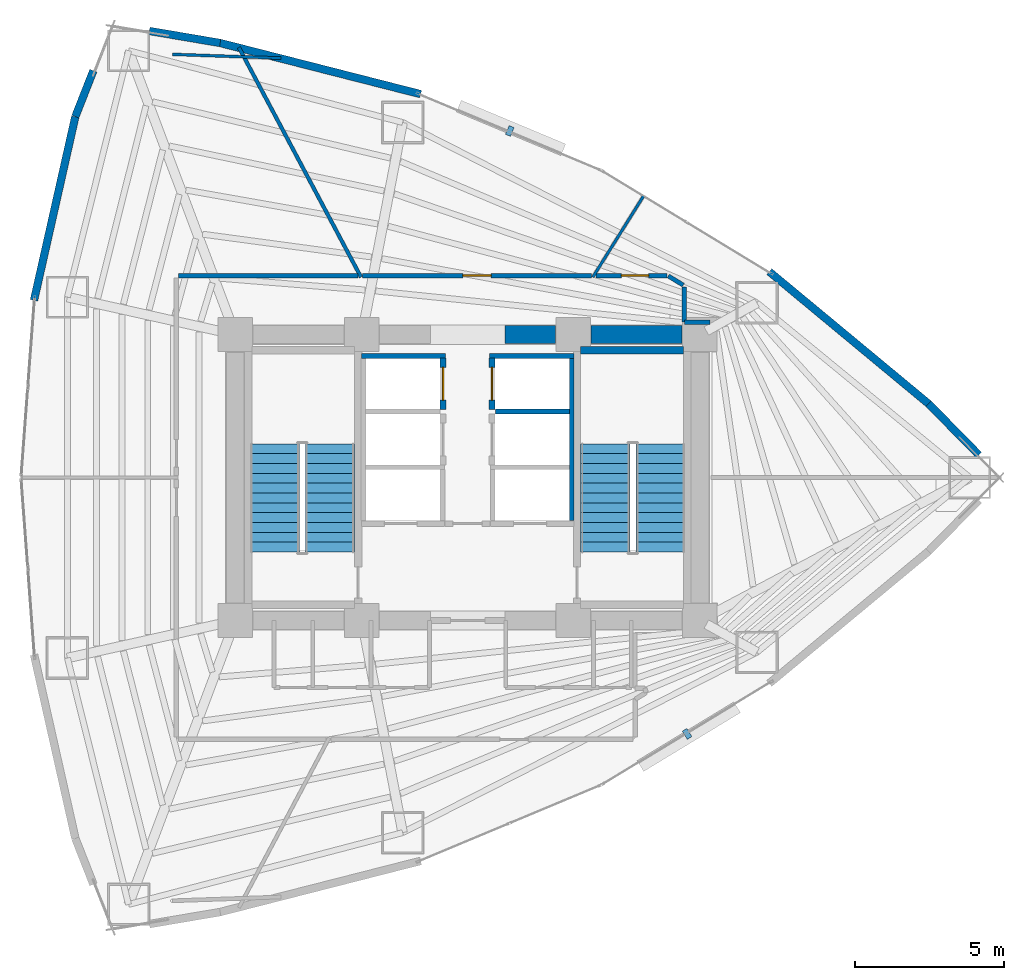
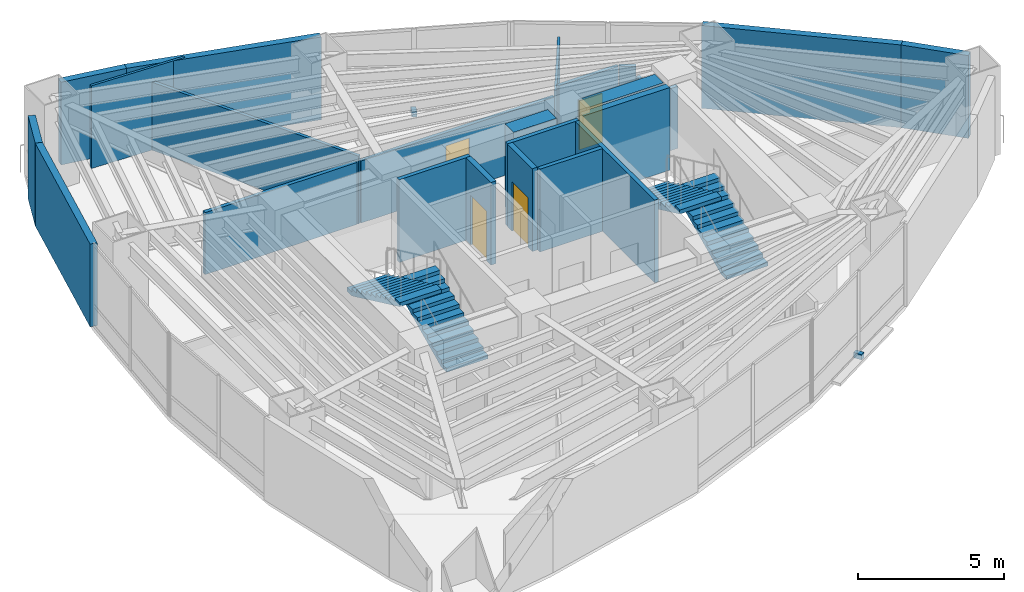
# One storey, part 15 of 18: 24 walls, 4 doors, 4 stair flights, 2 discrete accessories, 4 openings, 2 elements without a shape of their own.
"""IFC4 building model written with IfcOpenShell, lengths in metres."""

from ifc_helpers import new_model, si_unit, direction, frame, frame_2d, origin, origin_2d, place, context, subcontext, project, spatial, polyline, rectangle, outline, extrude, material, layer, layer_set, type_object, element, fill, aggregate, save


model = new_model("IFC4")

# Units and contexts
model_context = context("Model", 3, precision=1e-05, world=origin(), true_north=direction((0.0, 1.0)))
body_context = subcontext(model_context, "Body", "Model", "MODEL_VIEW")
ifc_project = project(units=[si_unit("LENGTHUNIT", "METRE"), si_unit("AREAUNIT", "SQUARE_METRE"), si_unit("VOLUMEUNIT", "CUBIC_METRE"), si_unit("PLANEANGLEUNIT", "RADIAN"), si_unit("MASSUNIT", "GRAM", prefix="KILO")], contexts=[model_context])

# Site, building, storey
site_placement = place(None, origin())
site = spatial("IfcSite", under=ifc_project, at=site_placement, CompositionType="ELEMENT")
building_placement = place(site_placement, origin())
building = spatial("IfcBuilding", under=site, at=building_placement, Name="Menara Vayukalpa", CompositionType="ELEMENT")
storey_placement = place(building_placement, frame((0.0, 0.0, 31.320068359375)))
storey = spatial("IfcBuildingStorey", under=building, at=storey_placement, Name="L06", CompositionType="ELEMENT", Elevation=31.320068359375)

# Walls
ifc_material_1 = material(Name="Concrete C70/85", Category="concrete")
ifc_layer_1 = layer(ifc_material_1, 0.60009765625)
ifc_layer_set_1 = layer_set([ifc_layer_1], Name="Concrete C70/85")
wall_type_1 = type_object("IfcWallType", Name="WAL-CW600", PredefinedType="SHEAR", material=ifc_layer_set_1)
wall_1_placement = place(storey_placement, frame((26.85009765625, 26.800048828125, 0.0), z_axis=(0.0, 0.0, 1.0), x_axis=(1.0, 0.0, 0.0)))
element("IfcWall", 1, at=wall_1_placement, inside=storey, type_object=wall_type_1, Name="L06 Buttressed Core Shear Wall CWN3", PredefinedType="SHEAR", context=body_context, shape_type="SweptSolid", body=[
    extrude(rectangle(XDim=1.704833984375, YDim=0.60009765625, at=frame_2d((0.8525390625, 0.0))), origin(), (0.0, 0.0, 1.0), 3.469970703125),
])
wall_2_placement = place(storey_placement, frame((29.7451171875, 26.800048828125, 0.0), z_axis=(0.0, 0.0, 1.0), x_axis=(1.0, 0.0, 0.0)))
element("IfcWall", 2, at=wall_2_placement, inside=storey, type_object=wall_type_1, Name="L06 Buttressed Core Shear Wall CWN4", PredefinedType="SHEAR", context=body_context, shape_type="SweptSolid", body=[
    extrude(rectangle(XDim=3.059814453125, YDim=0.60009765625, at=frame_2d((1.52978515625, 0.0))), origin(), (0.0, 0.0, 1.0), 3.469970703125),
])
ifc_material_2 = material(Name="Insulated Precast Concrete C40/50", Category="concrete")
ifc_layer_2 = layer(ifc_material_2, 0.260009765625)
ifc_layer_set_2 = layer_set([ifc_layer_2], Name="Insulated Precast Concrete C40/50")
wall_type_2 = type_object("IfcWallType", Name="WAL-EXT260", PredefinedType="PARTITIONING", material=ifc_layer_set_2)
wall_3_placement = place(storey_placement, frame((41.08056640625, 24.479248046875, 0.0), z_axis=(0.0, 0.0, 1.0), x_axis=(0.70059851419, -0.713555689427, 0.0)))
element("IfcWall", 3, at=wall_3_placement, inside=storey, type_object=wall_type_2, Name="L06 Perimeter Terracotta Pier Wall 02", PredefinedType="PARTITIONING", context=body_context, shape_type="SweptSolid", body=[
    extrude(rectangle(XDim=2.411865234375, YDim=0.260009765625, at=frame_2d((1.2060546875, 0.0))), origin(), (0.0, 0.0, 1.0), 3.469970703125),
])
for number, where, z_axis, x_axis, name in (
    (4, (35.732421875, 28.91357421875, 0.0), (0.0, 0.0, 1.0), (0.769754596928, -0.638339925517, 0.0), "L06 Perimeter Terracotta Pier Wall 03"),
    (5, (17.28173828125, 36.595703125, 0.0), (0.0, 0.0, 1.0), (0.968977974408, -0.247147092057, 0.0), "L06 Perimeter Terracotta Pier Wall 06"),
):
    element("IfcWall", number, at=place(storey_placement, frame(where, z_axis=z_axis, x_axis=x_axis)), inside=storey, type_object=wall_type_2, Name=name, PredefinedType="PARTITIONING", context=body_context, shape_type="SweptSolid", body=[
        extrude(rectangle(XDim=6.959228515625, YDim=0.260009765625, at=frame_2d((3.4794921875, 0.0))), origin(), (0.0, 0.0, 1.0), 3.469970703125),
    ])
wall_4_placement = place(storey_placement, frame((14.915283203125, 36.996826171875, 0.0), z_axis=(0.0, 0.0, 1.0), x_axis=(0.985905469923, -0.167303330437, 0.0)))
element("IfcWall", 6, at=wall_4_placement, inside=storey, type_object=wall_type_2, Name="L06 Perimeter Terracotta Pier Wall 07", PredefinedType="PARTITIONING", context=body_context, shape_type="SweptSolid", body=[
    extrude(rectangle(XDim=2.412109375, YDim=0.260009765625, at=frame_2d((1.2060546875, 0.0))), origin(), (0.0, 0.0, 1.0), 3.469970703125),
])
wall_5_placement = place(storey_placement, frame((12.427490234375, 34.119140625, 0.0), z_axis=(0.0, 0.0, 1.0), x_axis=(0.365666052462, 0.930746119023, 0.0)))
element("IfcWall", 7, at=wall_5_placement, inside=storey, type_object=wall_type_2, Name="L06 Perimeter Terracotta Pier Wall 08", PredefinedType="PARTITIONING", context=body_context, shape_type="SweptSolid", body=[
    extrude(rectangle(XDim=1.656494140625, YDim=0.260009765625, at=frame_2d((0.828125, 0.0))), origin(), (0.0, 0.0, 1.0), 3.469970703125),
])
wall_6_placement = place(storey_placement, frame((11.0400390625, 27.952392578125, 0.0), z_axis=(0.0, 0.0, 1.0), x_axis=(0.219502085231, 0.975612030768, 0.0)))
element("IfcWall", 8, at=wall_6_placement, inside=storey, type_object=wall_type_2, Name="L06 Perimeter Terracotta Pier Wall 09", PredefinedType="PARTITIONING", context=body_context, shape_type="SweptSolid", body=[
    extrude(rectangle(XDim=6.32080078125, YDim=0.260009765625, at=frame_2d((3.160400390625, 0.0))), origin(), (0.0, 0.0, 1.0), 3.469970703125),
])
ifc_material_3 = material(Name="Lightweight Concrete Blockwork C16/20", Category="masonry")
ifc_layer_3 = layer(ifc_material_3, 0.159912109375)
ifc_layer_set_3 = layer_set([ifc_layer_3], Name="Lightweight Concrete Blockwork C16/20")
wall_type_3 = type_object("IfcWallType", Name="WAL-FR150", PredefinedType="PARTITIONING", material=ifc_layer_set_3)
wall_7_placement = place(storey_placement, frame((22.030029296875, 26.0849609375, 0.0), z_axis=(0.0, 0.0, 1.0), x_axis=(1.0, 0.0, 0.0)))
element("IfcWall", 9, at=wall_7_placement, inside=storey, type_object=wall_type_3, Name="L06 Interior Partition IW-L06-SHM-W3N", PredefinedType="PARTITIONING", context=body_context, shape_type="SweptSolid", body=[
    extrude(rectangle(XDim=2.830078125, YDim=0.159912109375, at=frame_2d((1.4150390625, 0.0))), origin(), (0.0, 0.0, 1.0), 3.469970703125),
])
wall_8_placement = place(storey_placement, frame((29.094970703125, 20.56005859375, 0.0), z_axis=(0.0, 0.0, 1.0), x_axis=(0.0, 1.0, 0.0)))
element("IfcWall", 10, at=wall_8_placement, inside=storey, type_object=wall_type_3, Name="L06 Interior Partition IW-L06-SHW-EE", PredefinedType="PARTITIONING", context=body_context, shape_type="SweptSolid", body=[
    extrude(rectangle(XDim=5.449951171875, YDim=0.159912109375, at=frame_2d((2.72509765625, 0.0))), origin(), (0.0, 0.0, 1.0), 3.469970703125),
])
wall_9_placement = place(storey_placement, frame((26.530029296875, 24.215087890625, 0.0), z_axis=(0.0, 0.0, 1.0), x_axis=(1.0, 0.0, 0.0)))
element("IfcWall", 11, at=wall_9_placement, inside=storey, type_object=wall_type_3, Name="L06 Interior Partition IW-L06-SHM-E32", PredefinedType="PARTITIONING", context=body_context, shape_type="SweptSolid", body=[
    extrude(rectangle(XDim=2.489990234375, YDim=0.159912109375, at=frame_2d((1.2451171875, 0.0))), origin(), (0.0, 0.0, 1.0), 3.469970703125),
])
wall_10_placement = place(storey_placement, frame((26.340087890625, 26.0849609375, 0.0), z_axis=(0.0, 0.0, 1.0), x_axis=(1.0, 0.0, 0.0)))
element("IfcWall", 12, at=wall_10_placement, inside=storey, type_object=wall_type_3, Name="L06 Interior Partition IW-L06-SHM-E2N", PredefinedType="PARTITIONING", context=body_context, shape_type="SweptSolid", body=[
    extrude(rectangle(XDim=2.829833984375, YDim=0.159912109375, at=frame_2d((1.4150390625, 0.0))), origin(), (0.0, 0.0, 1.0), 3.469970703125),
])

# Wall, opening, door
ifc_material_4 = material(Name="Lightweight Concrete Blockwork C16/20", Category="masonry")
ifc_layer_4 = layer(ifc_material_4, 0.199951171875)
ifc_layer_set_4 = layer_set([ifc_layer_4], Name="Lightweight Concrete Blockwork C16/20")
wall_type_4 = type_object("IfcWallType", Name="WAL-FR200", PredefinedType="PARTITIONING", material=ifc_layer_set_4)
wall_11_placement = place(storey_placement, frame((24.780029296875, 24.2900390625, 0.0), z_axis=(0.0, 0.0, 1.0), x_axis=(0.0, 1.0, 0.0)))
wall_11 = element("IfcWall", 13, at=wall_11_placement, inside=storey, type_object=wall_type_4, Name="L06 Interior Partition IW-L06-SH-W3", PredefinedType="PARTITIONING", context=body_context, shape_type="SweptSolid", body=[
    extrude(rectangle(XDim=1.719970703125, YDim=0.199951171875, at=frame_2d((0.85986328125, 0.0))), origin(), (0.0, 0.0, 1.0), 3.469970703125),
])
opening_1_placement = place(wall_11_placement, frame((0.31005859375, 0.0, 0.0)))
opening_1 = element("IfcOpeningElement", 14, at=opening_1_placement, cuts=wall_11, Name="Opening LD1", PredefinedType="OPENING", context=body_context, shape_type="SweptSolid", body=[
    extrude(rectangle(XDim=1.10009765625, YDim=2.080078125, at=frame_2d((0.550048828125, 1.0400390625))), frame((0.0, 0.10986328125, 0.0), z_axis=(0.0, -1.0, 0.0), x_axis=(1.0, 0.0, 0.0)), (0.0, 0.0, 1.0), 0.219970703125),
])
ifc_material_5 = material(Name="Brushed Stainless Steel 316 Lift Door", Category="steel")
door_type_1 = type_object("IfcDoorType", Name="DR-LD110", OperationType="NOTDEFINED", PredefinedType="DOOR", material=ifc_material_5)
door_1_placement = place(opening_1_placement, origin())
door_1 = element("IfcDoor", 15, at=door_1_placement, inside=storey, type_object=door_type_1, Name="L06 Interior Door DR-L06-LD-W3", OperationType="DOUBLE_DOOR_SLIDING", OverallHeight=2.080078125, OverallWidth=1.10009765625, PredefinedType="DOOR", context=body_context, shape_type="SweptSolid", body=[
    extrude(rectangle(XDim=1.10009765625, YDim=2.080078125, at=frame_2d((0.550048828125, 1.0400390625))), frame((0.0, 0.02490234375, 0.0), z_axis=(0.0, -1.0, 0.0), x_axis=(1.0, 0.0, 0.0)), (0.0, 0.0, 1.0), 0.050048828125),
])
fill(opening_1, door_1)

wall_12_placement = place(storey_placement, frame((26.419921875, 24.2900390625, 0.0), z_axis=(0.0, 0.0, 1.0), x_axis=(0.0, 1.0, 0.0)))
wall_12 = element("IfcWall", 16, at=wall_12_placement, inside=storey, type_object=wall_type_4, Name="L06 Interior Partition IW-L06-SH-E2", PredefinedType="PARTITIONING", context=body_context, shape_type="SweptSolid", body=[
    extrude(rectangle(XDim=1.719970703125, YDim=0.199951171875, at=frame_2d((0.85986328125, 0.0))), origin(), (0.0, 0.0, 1.0), 3.469970703125),
])
opening_2_placement = place(wall_12_placement, frame((0.31005859375, 0.0, 0.0)))
opening_2 = element("IfcOpeningElement", 17, at=opening_2_placement, cuts=wall_12, Name="Opening LD1", PredefinedType="OPENING", context=body_context, shape_type="SweptSolid", body=[
    extrude(rectangle(XDim=1.10009765625, YDim=2.080078125, at=frame_2d((0.550048828125, 1.0400390625))), frame((0.0, 0.10986328125, 0.0), z_axis=(0.0, -1.0, 0.0), x_axis=(1.0, 0.0, 0.0)), (0.0, 0.0, 1.0), 0.219970703125),
])
door_2_placement = place(opening_2_placement, origin())
door_2 = element("IfcDoor", 18, at=door_2_placement, inside=storey, type_object=door_type_1, Name="L06 Interior Door DR-L06-LD-E2", OperationType="DOUBLE_DOOR_SLIDING", OverallHeight=2.080078125, OverallWidth=1.10009765625, PredefinedType="DOOR", context=body_context, shape_type="SweptSolid", body=[
    extrude(rectangle(XDim=1.10009765625, YDim=2.080078125, at=frame_2d((0.550048828125, 1.0400390625))), frame((0.0, 0.02490234375, 0.0), z_axis=(0.0, -1.0, 0.0), x_axis=(1.0, 0.0, 0.0)), (0.0, 0.0, 1.0), 0.050048828125),
])
fill(opening_2, door_2)

# Walls
ifc_material_6 = material(Name="Glazed Demountable Office Partition", Category="glass")
ifc_layer_5 = layer(ifc_material_6, 0.094970703125)
ifc_layer_set_5 = layer_set([ifc_layer_5], Name="Glazed Demountable Office Partition")
wall_type_5 = type_object("IfcWallType", Name="WAL-PT100", PredefinedType="PARTITIONING", material=ifc_layer_set_5)
wall_13_placement = place(storey_placement, frame((29.805419921875, 28.72998046875, 0.0), z_axis=(0.0, 0.0, 1.0), x_axis=(0.529903768235, 0.848057778934, 0.0)))
element("IfcWall", 19, at=wall_13_placement, inside=storey, type_object=wall_type_5, Name="L06 Interior Partition IW-L06-RDIV02", PredefinedType="PARTITIONING", context=body_context, shape_type="SweptSolid", body=[
    extrude(rectangle(XDim=3.228271484375, YDim=0.094970703125, at=frame_2d((1.6142578125, 0.0))), origin(), (0.0, 0.0, 1.0), 2.849853515625),
])
wall_14_placement = place(storey_placement, frame((19.3291015625, 36.083740234375, 0.0), z_axis=(0.0, 0.0, 1.0), x_axis=(-0.999389725088, 0.03493103762, 0.0)))
element("IfcWall", 20, at=wall_14_placement, inside=storey, type_object=wall_type_5, Name="L06 Interior Partition IW-L06-RDIV06", PredefinedType="PARTITIONING", context=body_context, shape_type="SweptSolid", body=[
    extrude(rectangle(XDim=3.641357421875, YDim=0.094970703125, at=frame_2d((1.82080078125, 0.0))), origin(), (0.0, 0.0, 1.0), 3.469970703125),
])
ifc_material_7 = material(Name="Gypsum Drywall Steel Stud Assembly", Category="steel")
ifc_layer_6 = layer(ifc_material_7, 0.125)
ifc_layer_set_6 = layer_set([ifc_layer_6], Name="Gypsum Drywall Steel Stud Assembly")
wall_type_6 = type_object("IfcWallType", Name="WAL-PT125", PredefinedType="PARTITIONING", material=ifc_layer_set_6)
wall_15_placement = place(storey_placement, frame((22.021484375, 28.72998046875, 0.0), z_axis=(0.0, 0.0, 1.0), x_axis=(-0.469465111929, 0.88295102281, 0.0)))
element("IfcWall", 21, at=wall_15_placement, inside=storey, type_object=wall_type_6, Name="L06 Interior Partition IW-L06-RDIV03", PredefinedType="PARTITIONING", context=body_context, shape_type="SweptSolid", body=[
    extrude(rectangle(XDim=8.735595703125, YDim=0.125, at=frame_2d((4.36767578125, 0.0))), origin(), (0.0, 0.0, 1.0), 2.849853515625),
])
ifc_material_8 = material(Name="Gypsum Drywall Acoustic Stud Assembly", Category="masonry")
ifc_layer_7 = layer(ifc_material_8, 0.14501953125)
ifc_layer_set_7 = layer_set([ifc_layer_7], Name="Gypsum Drywall Acoustic Stud Assembly")
wall_type_7 = type_object("IfcWallType", Name="WAL-PT150", PredefinedType="PARTITIONING", material=ifc_layer_set_7)
wall_16_placement = place(storey_placement, frame((33.739990234375, 27.219970703125, 0.0), z_axis=(0.0, 0.0, 1.0), x_axis=(-1.0, 0.0, 0.0)))
element("IfcWall", 22, at=wall_16_placement, inside=storey, type_object=wall_type_7, Name="L06 Interior Partition IW-L06-CRM04-1", PredefinedType="PARTITIONING", context=body_context, shape_type="SweptSolid", body=[
    extrude(rectangle(XDim=0.860107421875, YDim=0.14501953125, at=frame_2d((0.43017578125, 0.0))), origin(), (0.0, 0.0, 1.0), 2.599853515625),
])
wall_17_placement = place(storey_placement, frame((32.8798828125, 27.219970703125, 0.0), z_axis=(0.0, 0.0, 1.0), x_axis=(0.0, 1.0, 0.0)))
element("IfcWall", 23, at=wall_17_placement, inside=storey, type_object=wall_type_7, Name="L06 Interior Partition IW-L06-CRM04-2", PredefinedType="PARTITIONING", context=body_context, shape_type="SweptSolid", body=[
    extrude(rectangle(XDim=1.1748046875, YDim=0.14501953125, at=frame_2d((0.58740234375, 0.0))), origin(), (0.0, 0.0, 1.0), 2.599853515625),
])
wall_18_placement = place(storey_placement, frame((32.841552734375, 28.463134765625, 0.0), z_axis=(0.0, 0.0, 1.0), x_axis=(-0.854807247113, 0.518945633264, 0.0)))
element("IfcWall", 24, at=wall_18_placement, inside=storey, type_object=wall_type_7, Name="L06 Interior Partition IW-L06-CRM04-3", PredefinedType="PARTITIONING", context=body_context, shape_type="SweptSolid", body=[
    extrude(rectangle(XDim=0.588134765625, YDim=0.14501953125, at=frame_2d((0.2939453125, 0.0))), origin(), (0.0, 0.0, 1.0), 3.0),
])

# Wall, opening, door
wall_19_placement = place(storey_placement, frame((32.29736328125, 28.780029296875, 0.0), z_axis=(0.0, 0.0, 1.0), x_axis=(-1.0, 0.0, 0.0)))
wall_19 = element("IfcWall", 25, at=wall_19_placement, inside=storey, type_object=wall_type_7, Name="L06 Interior Partition IW-L06-CRM04-4", PredefinedType="PARTITIONING", context=body_context, shape_type="SweptSolid", body=[
    extrude(rectangle(XDim=2.378173828125, YDim=0.14501953125, at=frame_2d((1.18896484375, 0.0))), origin(), (0.0, 0.0, 1.0), 3.0),
])
opening_3_placement = place(wall_19_placement, frame((0.61669921875, 0.0, 0.0)))
opening_3 = element("IfcOpeningElement", 26, at=opening_3_placement, cuts=wall_19, Name="Opening ID6", PredefinedType="OPENING", context=body_context, shape_type="SweptSolid", body=[
    extrude(rectangle(XDim=0.919921875, YDim=2.050048828125, at=frame_2d((0.4599609375, 1.02490234375))), frame((0.0, 0.08251953125, 0.0), z_axis=(0.0, -1.0, 0.0), x_axis=(1.0, 0.0, 0.0)), (0.0, 0.0, 1.0), 0.1650390625),
])
ifc_material_9 = material(Name="Acoustic Hardwood Veneer Timber Door", Category="wood")
door_type_2 = type_object("IfcDoorType", Name="DR-INT92", OperationType="NOTDEFINED", PredefinedType="DOOR", material=ifc_material_9)
door_3_placement = place(opening_3_placement, origin())
door_3 = element("IfcDoor", 27, at=door_3_placement, inside=storey, type_object=door_type_2, Name="L06 Interior Door DR-L06-RM04", OperationType="SINGLE_SWING_RIGHT", OverallHeight=2.050048828125, OverallWidth=0.919921875, PredefinedType="DOOR", context=body_context, shape_type="SweptSolid", body=[
    extrude(rectangle(XDim=0.919921875, YDim=2.050048828125, at=frame_2d((0.4599609375, 1.02490234375))), frame((0.0, 0.02490234375, 0.0), z_axis=(0.0, -1.0, 0.0), x_axis=(1.0, 0.0, 0.0)), (0.0, 0.0, 1.0), 0.050048828125),
])
fill(opening_3, door_3)

wall_20_placement = place(storey_placement, frame((29.754150390625, 28.780029296875, 0.0), z_axis=(0.0, 0.0, 1.0), x_axis=(-1.0, 0.0, 0.0)))
wall_20 = element("IfcWall", 28, at=wall_20_placement, inside=storey, type_object=wall_type_7, Name="L06 Interior Partition IW-L06-CRM05-1", PredefinedType="PARTITIONING", context=body_context, shape_type="SweptSolid", body=[
    extrude(rectangle(XDim=7.679931640625, YDim=0.14501953125, at=frame_2d((3.83984375, 0.0))), origin(), (0.0, 0.0, 1.0), 2.599853515625),
])
opening_4_placement = place(wall_20_placement, frame((3.364990234375, 0.0, 0.0)))
opening_4 = element("IfcOpeningElement", 29, at=opening_4_placement, cuts=wall_20, Name="Opening ID5", PredefinedType="OPENING", context=body_context, shape_type="SweptSolid", body=[
    extrude(rectangle(XDim=0.949951171875, YDim=2.06005859375, at=frame_2d((0.47509765625, 1.030029296875))), frame((0.0, 0.08251953125, 0.0), z_axis=(0.0, -1.0, 0.0), x_axis=(1.0, 0.0, 0.0)), (0.0, 0.0, 1.0), 0.1650390625),
])
ifc_material_10 = material(Name="Acoustic Hardwood Veneer Timber Door", Category="wood")
door_type_3 = type_object("IfcDoorType", Name="DR-INT95", OperationType="NOTDEFINED", PredefinedType="DOOR", material=ifc_material_10)
door_4_placement = place(opening_4_placement, origin())
door_4 = element("IfcDoor", 30, at=door_4_placement, inside=storey, type_object=door_type_3, Name="L06 Interior Door DR-L06-RM05", OperationType="SINGLE_SWING_LEFT", OverallHeight=2.06005859375, OverallWidth=0.949951171875, PredefinedType="DOOR", context=body_context, shape_type="SweptSolid", body=[
    extrude(rectangle(XDim=0.949951171875, YDim=2.06005859375, at=frame_2d((0.47509765625, 1.030029296875))), frame((0.0, 0.02490234375, 0.0), z_axis=(0.0, -1.0, 0.0), x_axis=(1.0, 0.0, 0.0)), (0.0, 0.0, 1.0), 0.050048828125),
])
fill(opening_4, door_4)

# Walls
wall_21_placement = place(storey_placement, frame((21.915771484375, 28.780029296875, 0.0), z_axis=(0.0, 0.0, 1.0), x_axis=(-1.0, 0.0, 0.0)))
element("IfcWall", 31, at=wall_21_placement, inside=storey, type_object=wall_type_7, Name="L06 Interior Partition IW-L06-CRM06-1", PredefinedType="PARTITIONING", context=body_context, shape_type="SweptSolid", body=[
    extrude(rectangle(XDim=6.015869140625, YDim=0.14501953125, at=frame_2d((3.0078125, 0.0))), origin(), (0.0, 0.0, 1.0), 2.599853515625),
])
ifc_material_11 = material(Name="Concrete C50/60", Category="concrete")
ifc_layer_8 = layer(ifc_material_11, 0.25)
ifc_layer_set_8 = layer_set([ifc_layer_8], Name="Concrete C50/60")
wall_type_8 = type_object("IfcWallType", Name="WAL-SW250", PredefinedType="SHEAR", material=ifc_layer_set_8)
wall_22_placement = place(storey_placement, frame((29.39990234375, 26.27490234375, 0.0), z_axis=(0.0, 0.0, 1.0), x_axis=(1.0, 0.0, 0.0)))
element("IfcWall", 32, at=wall_22_placement, inside=storey, type_object=wall_type_8, Name="L06 ST2 Structural Stair Shaft Wall N", PredefinedType="SHEAR", context=body_context, shape_type="SweptSolid", body=[
    extrude(rectangle(XDim=3.446044921875, YDim=0.25, at=frame_2d((1.72314453125, 0.0))), origin(), (0.0, 0.0, 1.0), 3.469970703125),
])

# Stair, stair flights
ifc_material_12 = material(Name="Precast Concrete C40/50", Category="concrete")
stair_type = type_object("IfcStairType", Name="STR-T04", PredefinedType="DOUBLE_RETURN_STAIR", material=ifc_material_12)
stair_1_placement = place(storey_placement, origin())
stair_1 = element("IfcStair", 33, at=stair_1_placement, inside=storey, type_object=stair_type, Name="L06 Core Exit Stair ST-1", PredefinedType="DOUBLE_RETURN_STAIR")
ifc_material_13 = material(Name="Precast Concrete C40/50", Category="concrete")
stair_flight_type = type_object("IfcStairFlightType", Name="STF-T04", PredefinedType="STRAIGHT", material=ifc_material_13)
stair_flight_1_placement = place(storey_placement, frame((20.97509765625, 19.5, 0.0), z_axis=(0.0, 0.0, 1.0), x_axis=(0.0, 1.0, 0.0)))
stair_flight_1 = element("IfcStairFlight", 34, at=stair_flight_1_placement, type_object=stair_flight_type, Name="ST-1 flight 1", NumberOfRisers=12, NumberOfTreads=11, PredefinedType="STRAIGHT", RiserHeight=0.155, TreadLength=0.33, context=body_context, shape_type="SweptSolid", body=[
    extrude(outline(polyline([(0.0, 0.0), (0.0, 0.155029296875), (0.330078125, 0.155029296875), (0.330078125, 0.31005859375), (0.659912109375, 0.31005859375), (0.659912109375, 0.465087890625), (0.989990234375, 0.465087890625), (0.989990234375, 0.6201171875), (1.320068359375, 0.6201171875), (1.320068359375, 0.77490234375), (1.64990234375, 0.77490234375), (1.64990234375, 0.929931640625), (1.97998046875, 0.929931640625), (1.97998046875, 1.0849609375), (2.31005859375, 1.0849609375), (2.31005859375, 1.239990234375), (2.639892578125, 1.239990234375), (2.639892578125, 1.39501953125), (2.969970703125, 1.39501953125), (2.969970703125, 1.550048828125), (3.300048828125, 1.550048828125), (3.300048828125, 1.705078125), (3.6298828125, 1.705078125), (3.6298828125, 1.860107421875), (3.6298828125, 1.539306640625), (0.3525390625, 0.0), (0.0, 0.0)])), frame((0.0, 0.824951171875, 0.0), z_axis=(0.0, -1.0, 0.0), x_axis=(1.0, 0.0, 0.0)), (0.0, 0.0, 1.0), 1.64990234375),
])
stair_flight_2_placement = place(storey_placement, frame((19.125, 23.1298828125, 1.85986328125), z_axis=(0.0, 0.0, 1.0), x_axis=(0.0, -1.0, 0.0)))
stair_flight_2 = element("IfcStairFlight", 35, at=stair_flight_2_placement, type_object=stair_flight_type, Name="ST-1 flight 2", NumberOfRisers=12, NumberOfTreads=11, PredefinedType="STRAIGHT", RiserHeight=0.155, TreadLength=0.33, context=body_context, shape_type="SweptSolid", body=[
    extrude(outline(polyline([(0.0, 0.0), (0.0, 0.155029296875), (0.330078125, 0.155029296875), (0.330078125, 0.31005859375), (0.659912109375, 0.31005859375), (0.659912109375, 0.465087890625), (0.989990234375, 0.465087890625), (0.989990234375, 0.6201171875), (1.320068359375, 0.6201171875), (1.320068359375, 0.77490234375), (1.64990234375, 0.77490234375), (1.64990234375, 0.929931640625), (1.97998046875, 0.929931640625), (1.97998046875, 1.0849609375), (2.31005859375, 1.0849609375), (2.31005859375, 1.239990234375), (2.639892578125, 1.239990234375), (2.639892578125, 1.39501953125), (2.969970703125, 1.39501953125), (2.969970703125, 1.550048828125), (3.300048828125, 1.550048828125), (3.300048828125, 1.705078125), (3.6298828125, 1.705078125), (3.6298828125, 1.860107421875), (3.6298828125, 1.539306640625), (0.3525390625, 0.0), (0.0, 0.0)])), frame((0.0, 0.824951171875, 0.0), z_axis=(0.0, -1.0, 0.0), x_axis=(1.0, 0.0, 0.0)), (0.0, 0.0, 1.0), 1.64990234375),
])
aggregate(stair_1, [stair_flight_1, stair_flight_2])

stair_2_placement = place(storey_placement, origin())
stair_2 = element("IfcStair", 36, at=stair_2_placement, inside=storey, type_object=stair_type, Name="L06 Core Exit Stair ST-2", PredefinedType="DOUBLE_RETURN_STAIR")
stair_flight_3_placement = place(storey_placement, frame((32.074951171875, 19.5, 0.0), z_axis=(0.0, 0.0, 1.0), x_axis=(0.0, 1.0, 0.0)))
stair_flight_3 = element("IfcStairFlight", 37, at=stair_flight_3_placement, type_object=stair_flight_type, Name="ST-2 flight 1", NumberOfRisers=12, NumberOfTreads=11, PredefinedType="STRAIGHT", RiserHeight=0.155, TreadLength=0.33, context=body_context, shape_type="SweptSolid", body=[
    extrude(outline(polyline([(0.0, 0.0), (0.0, 0.155029296875), (0.330078125, 0.155029296875), (0.330078125, 0.31005859375), (0.659912109375, 0.31005859375), (0.659912109375, 0.465087890625), (0.989990234375, 0.465087890625), (0.989990234375, 0.6201171875), (1.320068359375, 0.6201171875), (1.320068359375, 0.77490234375), (1.64990234375, 0.77490234375), (1.64990234375, 0.929931640625), (1.97998046875, 0.929931640625), (1.97998046875, 1.0849609375), (2.31005859375, 1.0849609375), (2.31005859375, 1.239990234375), (2.639892578125, 1.239990234375), (2.639892578125, 1.39501953125), (2.969970703125, 1.39501953125), (2.969970703125, 1.550048828125), (3.300048828125, 1.550048828125), (3.300048828125, 1.705078125), (3.6298828125, 1.705078125), (3.6298828125, 1.860107421875), (3.6298828125, 1.539306640625), (0.3525390625, 0.0), (0.0, 0.0)])), frame((0.0, 0.824951171875, 0.0), z_axis=(0.0, -1.0, 0.0), x_axis=(1.0, 0.0, 0.0)), (0.0, 0.0, 1.0), 1.64990234375),
])
stair_flight_4_placement = place(storey_placement, frame((30.22509765625, 23.1298828125, 1.85986328125), z_axis=(0.0, 0.0, 1.0), x_axis=(0.0, -1.0, 0.0)))
stair_flight_4 = element("IfcStairFlight", 38, at=stair_flight_4_placement, type_object=stair_flight_type, Name="ST-2 flight 2", NumberOfRisers=12, NumberOfTreads=11, PredefinedType="STRAIGHT", RiserHeight=0.155, TreadLength=0.33, context=body_context, shape_type="SweptSolid", body=[
    extrude(outline(polyline([(0.0, 0.0), (0.0, 0.155029296875), (0.330078125, 0.155029296875), (0.330078125, 0.31005859375), (0.659912109375, 0.31005859375), (0.659912109375, 0.465087890625), (0.989990234375, 0.465087890625), (0.989990234375, 0.6201171875), (1.320068359375, 0.6201171875), (1.320068359375, 0.77490234375), (1.64990234375, 0.77490234375), (1.64990234375, 0.929931640625), (1.97998046875, 0.929931640625), (1.97998046875, 1.0849609375), (2.31005859375, 1.0849609375), (2.31005859375, 1.239990234375), (2.639892578125, 1.239990234375), (2.639892578125, 1.39501953125), (2.969970703125, 1.39501953125), (2.969970703125, 1.550048828125), (3.300048828125, 1.550048828125), (3.300048828125, 1.705078125), (3.6298828125, 1.705078125), (3.6298828125, 1.860107421875), (3.6298828125, 1.539306640625), (0.3525390625, 0.0), (0.0, 0.0)])), frame((0.0, 0.824951171875, 0.0), z_axis=(0.0, -1.0, 0.0), x_axis=(1.0, 0.0, 0.0)), (0.0, 0.0, 1.0), 1.64990234375),
])
aggregate(stair_2, [stair_flight_3, stair_flight_4])

# Discrete accessories
ifc_material_14 = material(Name="Stainless Steel 316 Sunshade Bracket", Category="steel")
discrete_accessory_type = type_object("IfcDiscreteAccessoryType", Name="ACC-BRK1", PredefinedType="BRACKET", material=ifc_material_14)
for number, where, z_axis, x_axis, name in (
    (39, (27.018310546875, 33.638916015625, -0.16015625), (0.0, 0.0, 1.0), (-0.922544824647, 0.385889940938, 0.0), "L06 Terracotta Sunshade Bracket 05"),
    (40, (32.9716796875, 13.39306640625, -0.16015625), (0.0, 0.0, 1.0), (0.85466730962, 0.519176068272, 0.0), "L06 Terracotta Sunshade Bracket 17"),
):
    element("IfcDiscreteAccessory", number, at=place(storey_placement, frame(where, z_axis=z_axis, x_axis=x_axis)), inside=storey, type_object=discrete_accessory_type, Name=name, PredefinedType="BRACKET", context=body_context, shape_type="SweptSolid", body=[
        extrude(rectangle(XDim=0.179931640625, YDim=0.320068359375, at=origin_2d()), origin(), (0.0, 0.0, 1.0), 0.219970703125),
    ])

save(model, "model.ifc")
